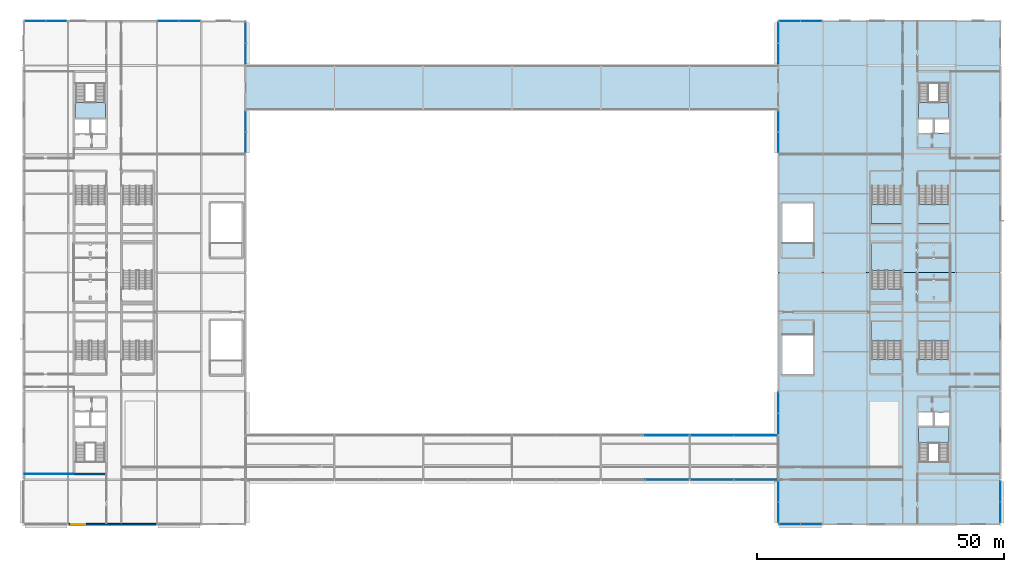
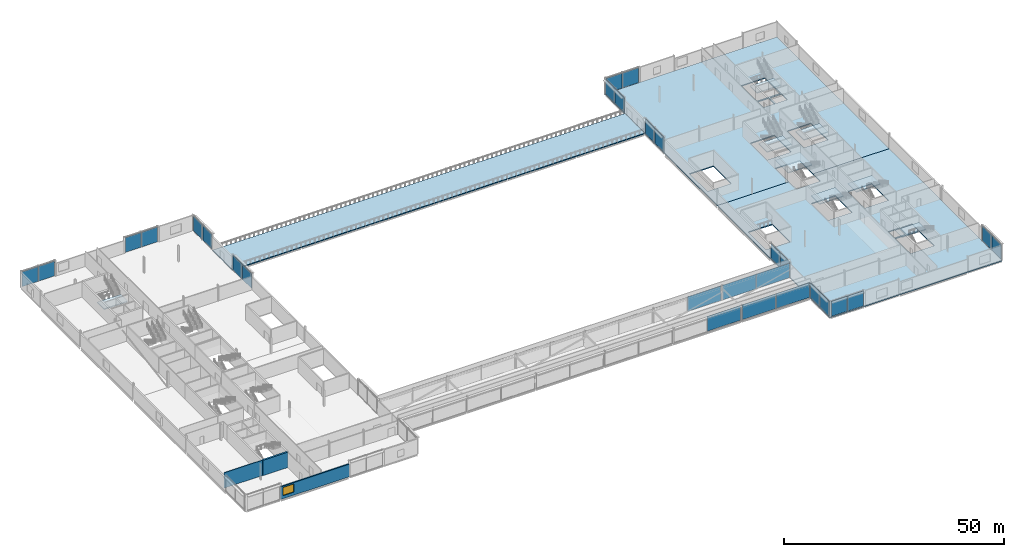
# One storey, part 35 of 73: 28 plates, 11 slabs, 3 walls, 1 window, 1 opening, 23 elements without a shape of their own.
"""IFC4 building model written with IfcOpenShell, lengths in metres."""

from ifc_helpers import new_model, si_unit, direction, frame, frame_2d, origin, origin_2d, place, context, subcontext, project, spatial, polyline, rectangle, outline, extrude, material, layer, layer_set, type_object, element, fill, aggregate, save


model = new_model("IFC4")

# Units and contexts
model_context = context("Model", 3, precision=1e-05, world=origin(), true_north=direction((0.0, 1.0)))
body_context = subcontext(model_context, "Body", "Model", "MODEL_VIEW")
ifc_project = project(units=[si_unit("LENGTHUNIT", "METRE"), si_unit("AREAUNIT", "SQUARE_METRE"), si_unit("VOLUMEUNIT", "CUBIC_METRE"), si_unit("PLANEANGLEUNIT", "RADIAN"), si_unit("MASSUNIT", "GRAM", prefix="KILO")], contexts=[model_context])

# Site, building, storey
site_placement = place(None, origin())
site = spatial("IfcSite", under=ifc_project, at=site_placement, CompositionType="ELEMENT")
building_placement = place(site_placement, origin())
building = spatial("IfcBuilding", under=site, at=building_placement, Name="Kisiwana Market Hall", CompositionType="ELEMENT")
storey_placement = place(building_placement, frame((0.0, 0.0, 33.300048828125)))
storey = spatial("IfcBuildingStorey", under=building, at=storey_placement, Name="L07", CompositionType="ELEMENT", Elevation=33.300048828125)

# Curtain wall, plates
ifc_material_1 = material(Name="Double-glazed solar-control low-E IGU", Category="glass")
ifc_layer_1 = layer(ifc_material_1, 0.159912109375)
ifc_layer_set_1 = layer_set([ifc_layer_1], Name="CW-BRG-L07-8200")
curtain_wall_type = type_object("IfcCurtainWallType", Name="CW-BRG-L07-8200", PredefinedType="USERDEFINED", material=ifc_layer_set_1)
curtain_wall_1_placement = place(storey_placement, origin())
curtain_wall_1 = element("IfcCurtainWall", 1, at=curtain_wall_1_placement, inside=storey, type_object=curtain_wall_type, Name="Unitised curtain wall CW-211 (L07)", ObjectType="UNITISED CURTAIN WALL", PredefinedType="USERDEFINED")
ifc_material_2 = material(Name="Double-glazed solar-control low-E IGU", Category="glass")
ifc_layer_2 = layer(ifc_material_2, 0.02392578125)
ifc_layer_set_2 = layer_set([ifc_layer_2], Name="PL-IGU-24")
plate_type_1 = type_object("IfcPlateType", Name="PL-IGU-24", PredefinedType="CURTAIN_PANEL", material=ifc_layer_set_2)
plate_1_placement = place(storey_placement, frame((155.342529296875, 9.0, 0.06005859375), z_axis=(0.0, 0.0, 1.0), x_axis=(1.0, 0.0, 0.0)))
plate_1 = element("IfcPlate", 2, at=plate_1_placement, type_object=plate_type_1, Name="CW-211 panel 1.1", PredefinedType="CURTAIN_PANEL", context=body_context, shape_type="SweptSolid", body=[
    extrude(rectangle(XDim=4.2451171875, YDim=0.02392578125, at=origin_2d()), origin(), (0.0, 0.0, 1.0), 4.135009765625),
])
plate_2_placement = place(storey_placement, frame((159.657470703125, 9.0, 0.06005859375), z_axis=(0.0, 0.0, 1.0), x_axis=(1.0, 0.0, 0.0)))
plate_2 = element("IfcPlate", 3, at=plate_2_placement, type_object=plate_type_1, Name="CW-211 panel 2.1", PredefinedType="CURTAIN_PANEL", context=body_context, shape_type="SweptSolid", body=[
    extrude(rectangle(XDim=4.2451171875, YDim=0.02392578125, at=origin_2d()), origin(), (0.0, 0.0, 1.0), 4.135009765625),
])
aggregate(curtain_wall_1, [plate_1, plate_2])

curtain_wall_2_placement = place(storey_placement, origin())
curtain_wall_2 = element("IfcCurtainWall", 4, at=curtain_wall_2_placement, inside=storey, type_object=curtain_wall_type, Name="Unitised curtain wall CW-217 (L07)", ObjectType="UNITISED CURTAIN WALL", PredefinedType="USERDEFINED")
plate_3_placement = place(storey_placement, frame((139.57373046875, 18.0, 0.06005859375), z_axis=(0.0, 0.0, 1.0), x_axis=(1.0, 0.0, 0.0)))
plate_3 = element("IfcPlate", 5, at=plate_3_placement, type_object=plate_type_1, Name="CW-217 panel 1.1", PredefinedType="CURTAIN_PANEL", context=body_context, shape_type="SweptSolid", body=[
    extrude(rectangle(XDim=8.757568359375, YDim=0.02392578125, at=origin_2d()), origin(), (0.0, 0.0, 1.0), 4.135009765625),
])
plate_4_placement = place(storey_placement, frame((148.4013671875, 18.0, 0.06005859375), z_axis=(0.0, 0.0, 1.0), x_axis=(1.0, 0.0, 0.0)))
plate_4 = element("IfcPlate", 6, at=plate_4_placement, type_object=plate_type_1, Name="CW-217 panel 2.1", PredefinedType="CURTAIN_PANEL", context=body_context, shape_type="SweptSolid", body=[
    extrude(rectangle(XDim=8.757568359375, YDim=0.02392578125, at=origin_2d()), origin(), (0.0, 0.0, 1.0), 4.135009765625),
])
aggregate(curtain_wall_2, [plate_3, plate_4])

curtain_wall_3_placement = place(storey_placement, origin())
curtain_wall_3 = element("IfcCurtainWall", 7, at=curtain_wall_3_placement, inside=storey, type_object=curtain_wall_type, Name="Unitised curtain wall CW-223 (L07)", ObjectType="UNITISED CURTAIN WALL", PredefinedType="USERDEFINED")
plate_5_placement = place(storey_placement, frame((139.57373046875, 27.0, 0.06005859375), z_axis=(0.0, 0.0, 1.0), x_axis=(1.0, 0.0, 0.0)))
plate_5 = element("IfcPlate", 8, at=plate_5_placement, type_object=plate_type_1, Name="CW-223 panel 1.1", PredefinedType="CURTAIN_PANEL", context=body_context, shape_type="SweptSolid", body=[
    extrude(rectangle(XDim=8.757568359375, YDim=0.02392578125, at=origin_2d()), origin(), (0.0, 0.0, 1.0), 4.135009765625),
])
plate_6_placement = place(storey_placement, frame((148.4013671875, 27.0, 0.06005859375), z_axis=(0.0, 0.0, 1.0), x_axis=(1.0, 0.0, 0.0)))
plate_6 = element("IfcPlate", 9, at=plate_6_placement, type_object=plate_type_1, Name="CW-223 panel 2.1", PredefinedType="CURTAIN_PANEL", context=body_context, shape_type="SweptSolid", body=[
    extrude(rectangle(XDim=8.757568359375, YDim=0.02392578125, at=origin_2d()), origin(), (0.0, 0.0, 1.0), 4.135009765625),
])
aggregate(curtain_wall_3, [plate_5, plate_6])

curtain_wall_4_placement = place(storey_placement, origin())
curtain_wall_4 = element("IfcCurtainWall", 10, at=curtain_wall_4_placement, inside=storey, type_object=curtain_wall_type, Name="Unitised curtain wall CW-225 (L07)", ObjectType="UNITISED CURTAIN WALL", PredefinedType="USERDEFINED")
plate_7_placement = place(storey_placement, frame((29.342529296875, 111.0, 0.06005859375), z_axis=(0.0, 0.0, 1.0), x_axis=(1.0, 0.0, 0.0)))
plate_7 = element("IfcPlate", 11, at=plate_7_placement, type_object=plate_type_1, Name="CW-225 panel 1.1", PredefinedType="CURTAIN_PANEL", context=body_context, shape_type="SweptSolid", body=[
    extrude(rectangle(XDim=4.2451171875, YDim=0.02392578125, at=origin_2d()), origin(), (0.0, 0.0, 1.0), 4.135009765625),
])
plate_8_placement = place(storey_placement, frame((33.657470703125, 111.0, 0.06005859375), z_axis=(0.0, 0.0, 1.0), x_axis=(1.0, 0.0, 0.0)))
plate_8 = element("IfcPlate", 12, at=plate_8_placement, type_object=plate_type_1, Name="CW-225 panel 2.1", PredefinedType="CURTAIN_PANEL", context=body_context, shape_type="SweptSolid", body=[
    extrude(rectangle(XDim=4.2451171875, YDim=0.02392578125, at=origin_2d()), origin(), (0.0, 0.0, 1.0), 4.135009765625),
])
aggregate(curtain_wall_4, [plate_7, plate_8])

curtain_wall_5_placement = place(storey_placement, origin())
curtain_wall_5 = element("IfcCurtainWall", 13, at=curtain_wall_5_placement, inside=storey, type_object=curtain_wall_type, Name="Unitised curtain wall CW-231 (L07)", ObjectType="UNITISED CURTAIN WALL", PredefinedType="USERDEFINED")
plate_9_placement = place(storey_placement, frame((45.0, 104.367431640625, 0.06005859375), z_axis=(0.0, 0.0, 1.0), x_axis=(0.0, 1.0, 0.0)))
plate_9 = element("IfcPlate", 14, at=plate_9_placement, type_object=plate_type_1, Name="CW-231 panel 1.1", PredefinedType="CURTAIN_PANEL", context=body_context, shape_type="SweptSolid", body=[
    extrude(rectangle(XDim=4.195068359375, YDim=0.02392578125, at=origin_2d()), origin(), (0.0, 0.0, 1.0), 4.135009765625),
])
plate_10_placement = place(storey_placement, frame((45.0, 108.632568359375, 0.06005859375), z_axis=(0.0, 0.0, 1.0), x_axis=(0.0, 1.0, 0.0)))
plate_10 = element("IfcPlate", 15, at=plate_10_placement, type_object=plate_type_1, Name="CW-231 panel 2.1", PredefinedType="CURTAIN_PANEL", context=body_context, shape_type="SweptSolid", body=[
    extrude(rectangle(XDim=4.195068359375, YDim=0.02392578125, at=origin_2d()), origin(), (0.0, 0.0, 1.0), 4.135009765625),
])
aggregate(curtain_wall_5, [plate_9, plate_10])

curtain_wall_6_placement = place(storey_placement, origin())
curtain_wall_6 = element("IfcCurtainWall", 16, at=curtain_wall_6_placement, inside=storey, type_object=curtain_wall_type, Name="Unitised curtain wall CW-233 (L07)", ObjectType="UNITISED CURTAIN WALL", PredefinedType="USERDEFINED")
plate_11_placement = place(storey_placement, frame((153.0, 29.367431640625, 0.06005859375), z_axis=(0.0, 0.0, 1.0), x_axis=(0.0, 1.0, 0.0)))
plate_11 = element("IfcPlate", 17, at=plate_11_placement, type_object=plate_type_1, Name="CW-233 panel 1.1", PredefinedType="CURTAIN_PANEL", context=body_context, shape_type="SweptSolid", body=[
    extrude(rectangle(XDim=4.195068359375, YDim=0.02392578125, at=origin_2d()), origin(), (0.0, 0.0, 1.0), 4.135009765625),
])
plate_12_placement = place(storey_placement, frame((153.0, 33.632568359375, 0.06005859375), z_axis=(0.0, 0.0, 1.0), x_axis=(0.0, 1.0, 0.0)))
plate_12 = element("IfcPlate", 18, at=plate_12_placement, type_object=plate_type_1, Name="CW-233 panel 2.1", PredefinedType="CURTAIN_PANEL", context=body_context, shape_type="SweptSolid", body=[
    extrude(rectangle(XDim=4.195068359375, YDim=0.02392578125, at=origin_2d()), origin(), (0.0, 0.0, 1.0), 4.135009765625),
])
aggregate(curtain_wall_6, [plate_11, plate_12])

curtain_wall_7_placement = place(storey_placement, origin())
curtain_wall_7 = element("IfcCurtainWall", 19, at=curtain_wall_7_placement, inside=storey, type_object=curtain_wall_type, Name="Unitised curtain wall CW-237 (L07)", ObjectType="UNITISED CURTAIN WALL", PredefinedType="USERDEFINED")
plate_13_placement = place(storey_placement, frame((198.0, 11.367431640625, 0.06005859375), z_axis=(0.0, 0.0, 1.0), x_axis=(0.0, 1.0, 0.0)))
plate_13 = element("IfcPlate", 20, at=plate_13_placement, type_object=plate_type_1, Name="CW-237 panel 1.1", PredefinedType="CURTAIN_PANEL", context=body_context, shape_type="SweptSolid", body=[
    extrude(rectangle(XDim=4.195068359375, YDim=0.02392578125, at=origin_2d()), origin(), (0.0, 0.0, 1.0), 4.135009765625),
])
plate_14_placement = place(storey_placement, frame((198.0, 15.632568359375, 0.06005859375), z_axis=(0.0, 0.0, 1.0), x_axis=(0.0, 1.0, 0.0)))
plate_14 = element("IfcPlate", 21, at=plate_14_placement, type_object=plate_type_1, Name="CW-237 panel 2.1", PredefinedType="CURTAIN_PANEL", context=body_context, shape_type="SweptSolid", body=[
    extrude(rectangle(XDim=4.195068359375, YDim=0.02392578125, at=origin_2d()), origin(), (0.0, 0.0, 1.0), 4.135009765625),
])
aggregate(curtain_wall_7, [plate_13, plate_14])

# Curtain wall, plate
curtain_wall_8_placement = place(storey_placement, origin())
curtain_wall_8 = element("IfcCurtainWall", 22, at=curtain_wall_8_placement, inside=storey, type_object=curtain_wall_type, Name="Unitised curtain wall CW-216 (L07)", ObjectType="UNITISED CURTAIN WALL", PredefinedType="USERDEFINED")
ifc_material_3 = material(Name="Double-glazed acoustic laminated IGU", Category="glass")
ifc_layer_3 = layer(ifc_material_3, 0.028076171875)
ifc_layer_set_3 = layer_set([ifc_layer_3], Name="PL-IGU-28")
plate_type_2 = type_object("IfcPlateType", Name="PL-IGU-28", PredefinedType="CURTAIN_PANEL", material=ifc_layer_set_3)
plate_15_placement = place(storey_placement, frame((130.419921875, 18.0, 0.06005859375), z_axis=(0.0, 0.0, 1.0), x_axis=(1.0, 0.0, 0.0)))
plate_15 = element("IfcPlate", 23, at=plate_15_placement, type_object=plate_type_2, Name="CW-216 panel 2.1", PredefinedType="CURTAIN_PANEL", context=body_context, shape_type="SweptSolid", body=[
    extrude(rectangle(XDim=8.77001953125, YDim=0.028076171875, at=origin_2d()), origin(), (0.0, 0.0, 1.0), 4.135009765625),
])
aggregate(curtain_wall_8, [plate_15])

curtain_wall_9_placement = place(storey_placement, origin())
curtain_wall_9 = element("IfcCurtainWall", 24, at=curtain_wall_9_placement, inside=storey, type_object=curtain_wall_type, Name="Unitised curtain wall CW-222 (L07)", ObjectType="UNITISED CURTAIN WALL", PredefinedType="USERDEFINED")
plate_16_placement = place(storey_placement, frame((130.419921875, 27.0, 0.06005859375), z_axis=(0.0, 0.0, 1.0), x_axis=(1.0, 0.0, 0.0)))
plate_16 = element("IfcPlate", 25, at=plate_16_placement, type_object=plate_type_2, Name="CW-222 panel 2.1", PredefinedType="CURTAIN_PANEL", context=body_context, shape_type="SweptSolid", body=[
    extrude(rectangle(XDim=8.77001953125, YDim=0.028076171875, at=origin_2d()), origin(), (0.0, 0.0, 1.0), 4.135009765625),
])
aggregate(curtain_wall_9, [plate_16])

# Curtain wall, plates
curtain_wall_10_placement = place(storey_placement, origin())
curtain_wall_10 = element("IfcCurtainWall", 26, at=curtain_wall_10_placement, inside=storey, type_object=curtain_wall_type, Name="Unitised curtain wall CW-224 (L07)", ObjectType="UNITISED CURTAIN WALL", PredefinedType="USERDEFINED")
plate_17_placement = place(storey_placement, frame((2.342529296875, 111.0, 0.06005859375), z_axis=(0.0, 0.0, 1.0), x_axis=(1.0, 0.0, 0.0)))
plate_17 = element("IfcPlate", 27, at=plate_17_placement, type_object=plate_type_2, Name="CW-224 panel 1.1", PredefinedType="CURTAIN_PANEL", context=body_context, shape_type="SweptSolid", body=[
    extrude(rectangle(XDim=4.2451171875, YDim=0.028076171875, at=origin_2d()), origin(), (0.0, 0.0, 1.0), 4.135009765625),
])
plate_18_placement = place(storey_placement, frame((6.657470703125, 111.0, 0.06005859375), z_axis=(0.0, 0.0, 1.0), x_axis=(1.0, 0.0, 0.0)))
plate_18 = element("IfcPlate", 28, at=plate_18_placement, type_object=plate_type_2, Name="CW-224 panel 2.1", PredefinedType="CURTAIN_PANEL", context=body_context, shape_type="SweptSolid", body=[
    extrude(rectangle(XDim=4.2451171875, YDim=0.028076171875, at=origin_2d()), origin(), (0.0, 0.0, 1.0), 4.135009765625),
])
aggregate(curtain_wall_10, [plate_17, plate_18])

curtain_wall_11_placement = place(storey_placement, origin())
curtain_wall_11 = element("IfcCurtainWall", 29, at=curtain_wall_11_placement, inside=storey, type_object=curtain_wall_type, Name="Unitised curtain wall CW-226 (L07)", ObjectType="UNITISED CURTAIN WALL", PredefinedType="USERDEFINED")
plate_19_placement = place(storey_placement, frame((155.342529296875, 111.0, 0.06005859375), z_axis=(0.0, 0.0, 1.0), x_axis=(1.0, 0.0, 0.0)))
plate_19 = element("IfcPlate", 30, at=plate_19_placement, type_object=plate_type_2, Name="CW-226 panel 1.1", PredefinedType="CURTAIN_PANEL", context=body_context, shape_type="SweptSolid", body=[
    extrude(rectangle(XDim=4.2451171875, YDim=0.028076171875, at=origin_2d()), origin(), (0.0, 0.0, 1.0), 4.135009765625),
])
plate_20_placement = place(storey_placement, frame((159.657470703125, 111.0, 0.06005859375), z_axis=(0.0, 0.0, 1.0), x_axis=(1.0, 0.0, 0.0)))
plate_20 = element("IfcPlate", 31, at=plate_20_placement, type_object=plate_type_2, Name="CW-226 panel 2.1", PredefinedType="CURTAIN_PANEL", context=body_context, shape_type="SweptSolid", body=[
    extrude(rectangle(XDim=4.2451171875, YDim=0.028076171875, at=origin_2d()), origin(), (0.0, 0.0, 1.0), 4.135009765625),
])
aggregate(curtain_wall_11, [plate_19, plate_20])

curtain_wall_12_placement = place(storey_placement, origin())
curtain_wall_12 = element("IfcCurtainWall", 32, at=curtain_wall_12_placement, inside=storey, type_object=curtain_wall_type, Name="Unitised curtain wall CW-230 (L07)", ObjectType="UNITISED CURTAIN WALL", PredefinedType="USERDEFINED")
plate_21_placement = place(storey_placement, frame((45.0, 86.367431640625, 0.06005859375), z_axis=(0.0, 0.0, 1.0), x_axis=(0.0, 1.0, 0.0)))
plate_21 = element("IfcPlate", 33, at=plate_21_placement, type_object=plate_type_2, Name="CW-230 panel 1.1", PredefinedType="CURTAIN_PANEL", context=body_context, shape_type="SweptSolid", body=[
    extrude(rectangle(XDim=4.195068359375, YDim=0.028076171875, at=origin_2d()), origin(), (0.0, 0.0, 1.0), 4.135009765625),
])
plate_22_placement = place(storey_placement, frame((45.0, 90.632568359375, 0.06005859375), z_axis=(0.0, 0.0, 1.0), x_axis=(0.0, 1.0, 0.0)))
plate_22 = element("IfcPlate", 34, at=plate_22_placement, type_object=plate_type_2, Name="CW-230 panel 2.1", PredefinedType="CURTAIN_PANEL", context=body_context, shape_type="SweptSolid", body=[
    extrude(rectangle(XDim=4.195068359375, YDim=0.028076171875, at=origin_2d()), origin(), (0.0, 0.0, 1.0), 4.135009765625),
])
aggregate(curtain_wall_12, [plate_21, plate_22])

curtain_wall_13_placement = place(storey_placement, origin())
curtain_wall_13 = element("IfcCurtainWall", 35, at=curtain_wall_13_placement, inside=storey, type_object=curtain_wall_type, Name="Unitised curtain wall CW-232 (L07)", ObjectType="UNITISED CURTAIN WALL", PredefinedType="USERDEFINED")
plate_23_placement = place(storey_placement, frame((153.0, 11.367431640625, 0.06005859375), z_axis=(0.0, 0.0, 1.0), x_axis=(0.0, 1.0, 0.0)))
plate_23 = element("IfcPlate", 36, at=plate_23_placement, type_object=plate_type_2, Name="CW-232 panel 1.1", PredefinedType="CURTAIN_PANEL", context=body_context, shape_type="SweptSolid", body=[
    extrude(rectangle(XDim=4.195068359375, YDim=0.028076171875, at=origin_2d()), origin(), (0.0, 0.0, 1.0), 4.135009765625),
])
plate_24_placement = place(storey_placement, frame((153.0, 15.632568359375, 0.06005859375), z_axis=(0.0, 0.0, 1.0), x_axis=(0.0, 1.0, 0.0)))
plate_24 = element("IfcPlate", 37, at=plate_24_placement, type_object=plate_type_2, Name="CW-232 panel 2.1", PredefinedType="CURTAIN_PANEL", context=body_context, shape_type="SweptSolid", body=[
    extrude(rectangle(XDim=4.195068359375, YDim=0.028076171875, at=origin_2d()), origin(), (0.0, 0.0, 1.0), 4.135009765625),
])
aggregate(curtain_wall_13, [plate_23, plate_24])

curtain_wall_14_placement = place(storey_placement, origin())
curtain_wall_14 = element("IfcCurtainWall", 38, at=curtain_wall_14_placement, inside=storey, type_object=curtain_wall_type, Name="Unitised curtain wall CW-234 (L07)", ObjectType="UNITISED CURTAIN WALL", PredefinedType="USERDEFINED")
plate_25_placement = place(storey_placement, frame((153.0, 86.367431640625, 0.06005859375), z_axis=(0.0, 0.0, 1.0), x_axis=(0.0, 1.0, 0.0)))
plate_25 = element("IfcPlate", 39, at=plate_25_placement, type_object=plate_type_2, Name="CW-234 panel 1.1", PredefinedType="CURTAIN_PANEL", context=body_context, shape_type="SweptSolid", body=[
    extrude(rectangle(XDim=4.195068359375, YDim=0.028076171875, at=origin_2d()), origin(), (0.0, 0.0, 1.0), 4.135009765625),
])
plate_26_placement = place(storey_placement, frame((153.0, 90.632568359375, 0.06005859375), z_axis=(0.0, 0.0, 1.0), x_axis=(0.0, 1.0, 0.0)))
plate_26 = element("IfcPlate", 40, at=plate_26_placement, type_object=plate_type_2, Name="CW-234 panel 2.1", PredefinedType="CURTAIN_PANEL", context=body_context, shape_type="SweptSolid", body=[
    extrude(rectangle(XDim=4.195068359375, YDim=0.028076171875, at=origin_2d()), origin(), (0.0, 0.0, 1.0), 4.135009765625),
])
aggregate(curtain_wall_14, [plate_25, plate_26])

curtain_wall_15_placement = place(storey_placement, origin())
curtain_wall_15 = element("IfcCurtainWall", 41, at=curtain_wall_15_placement, inside=storey, type_object=curtain_wall_type, Name="Unitised curtain wall CW-236 (L07)", ObjectType="UNITISED CURTAIN WALL", PredefinedType="USERDEFINED")
plate_27_placement = place(storey_placement, frame((153.0, 104.367431640625, 0.06005859375), z_axis=(0.0, 0.0, 1.0), x_axis=(0.0, 1.0, 0.0)))
plate_27 = element("IfcPlate", 42, at=plate_27_placement, type_object=plate_type_2, Name="CW-236 panel 1.1", PredefinedType="CURTAIN_PANEL", context=body_context, shape_type="SweptSolid", body=[
    extrude(rectangle(XDim=4.195068359375, YDim=0.028076171875, at=origin_2d()), origin(), (0.0, 0.0, 1.0), 4.135009765625),
])
plate_28_placement = place(storey_placement, frame((153.0, 108.632568359375, 0.06005859375), z_axis=(0.0, 0.0, 1.0), x_axis=(0.0, 1.0, 0.0)))
plate_28 = element("IfcPlate", 43, at=plate_28_placement, type_object=plate_type_2, Name="CW-236 panel 2.1", PredefinedType="CURTAIN_PANEL", context=body_context, shape_type="SweptSolid", body=[
    extrude(rectangle(XDim=4.195068359375, YDim=0.028076171875, at=origin_2d()), origin(), (0.0, 0.0, 1.0), 4.135009765625),
])
aggregate(curtain_wall_15, [plate_27, plate_28])

# Stair, slab
ifc_material_4 = material(Name="Concrete C32/40", Category="concrete")
stair_type_1 = type_object("IfcStairType", Name="ST-TWR-4500", PredefinedType="TWO_STRAIGHT_RUN_STAIR", material=ifc_material_4)
stair_1_placement = place(storey_placement, origin())
stair_1 = element("IfcStair", 44, at=stair_1_placement, inside=storey, type_object=stair_type_1, Name="Escape stair ST-W1-L07", PredefinedType="TWO_STRAIGHT_RUN_STAIR")
ifc_material_5 = material(Name="Concrete C32/40", Category="concrete")
ifc_layer_4 = layer(ifc_material_5, 0.239990234375)
ifc_layer_set_4 = layer_set([ifc_layer_4], Name="SL-LANDING-160")
slab_type_1 = type_object("IfcSlabType", Name="SL-LANDING-160", PredefinedType="LANDING", material=ifc_layer_set_4)
slab_1_placement = place(storey_placement, frame((0.0, 0.0, 2.010009765625)))
slab_1 = element("IfcSlab", 45, at=slab_1_placement, type_object=slab_type_1, Name="ST-W1-L07 landing 1 S-316", PredefinedType="LANDING", context=body_context, shape_type="SweptSolid", body=[
    extrude(outline(polyline([(10.405029296875, 91.35498046875), (16.594970703125, 91.35498046875), (16.594970703125, 94.490966796875), (10.405029296875, 94.490966796875), (10.405029296875, 91.35498046875)])), origin(), (0.0, 0.0, 1.0), 0.239990234375),
])
aggregate(stair_1, [slab_1])

stair_2_placement = place(storey_placement, origin())
stair_2 = element("IfcStair", 46, at=stair_2_placement, inside=storey, type_object=stair_type_1, Name="Escape stair ST-E2-L07", PredefinedType="TWO_STRAIGHT_RUN_STAIR")
slab_2_placement = place(storey_placement, frame((0.0, 0.0, 2.010009765625)))
slab_2 = element("IfcSlab", 47, at=slab_2_placement, type_object=slab_type_1, Name="ST-E2-L07 landing 1 S-310", PredefinedType="LANDING", context=body_context, shape_type="SweptSolid", body=[
    extrude(outline(polyline([(181.3798828125, 25.48388671875), (187.6201171875, 25.48388671875), (187.6201171875, 28.6201171875), (181.3798828125, 28.6201171875), (181.3798828125, 25.48388671875)])), origin(), (0.0, 0.0, 1.0), 0.239990234375),
])
aggregate(stair_2, [slab_2])

stair_3_placement = place(storey_placement, origin())
stair_3 = element("IfcStair", 48, at=stair_3_placement, inside=storey, type_object=stair_type_1, Name="Escape stair ST-E1-L07", PredefinedType="TWO_STRAIGHT_RUN_STAIR")
slab_3_placement = place(storey_placement, frame((0.0, 0.0, 2.010009765625)))
slab_3 = element("IfcSlab", 49, at=slab_3_placement, type_object=slab_type_1, Name="ST-E1-L07 landing 1 S-309", PredefinedType="LANDING", context=body_context, shape_type="SweptSolid", body=[
    extrude(outline(polyline([(181.3798828125, 91.3798828125), (187.6201171875, 91.3798828125), (187.6201171875, 94.51611328125), (181.3798828125, 94.51611328125), (181.3798828125, 91.3798828125)])), origin(), (0.0, 0.0, 1.0), 0.239990234375),
])
aggregate(stair_3, [slab_3])

ifc_material_6 = material(Name="Concrete C32/40", Category="concrete")
stair_type_2 = type_object("IfcStairType", Name="ST-ESC-4500", PredefinedType="TWO_STRAIGHT_RUN_STAIR", material=ifc_material_6)
stair_4_placement = place(storey_placement, origin())
stair_4 = element("IfcStair", 50, at=stair_4_placement, inside=storey, type_object=stair_type_2, Name="Escape stair ST-E3-L07", PredefinedType="TWO_STRAIGHT_RUN_STAIR")
slab_4_placement = place(storey_placement, frame((0.0, 0.0, 2.010009765625)))
slab_4 = element("IfcSlab", 51, at=slab_4_placement, type_object=slab_type_1, Name="ST-E3-L07 landing 1 S-311", PredefinedType="LANDING", context=body_context, shape_type="SweptSolid", body=[
    extrude(outline(polyline([(181.340087890625, 46.194580078125), (187.659912109375, 46.194580078125), (187.659912109375, 50.06005859375), (181.340087890625, 50.06005859375), (181.340087890625, 46.194580078125)])), origin(), (0.0, 0.0, 1.0), 0.239990234375),
])
aggregate(stair_4, [slab_4])

stair_5_placement = place(storey_placement, origin())
stair_5 = element("IfcStair", 52, at=stair_5_placement, inside=storey, type_object=stair_type_2, Name="Escape stair ST-E4-L07", PredefinedType="TWO_STRAIGHT_RUN_STAIR")
slab_5_placement = place(storey_placement, frame((0.0, 0.0, 2.010009765625)))
slab_5 = element("IfcSlab", 53, at=slab_5_placement, type_object=slab_type_1, Name="ST-E4-L07 landing 1 S-312", PredefinedType="LANDING", context=body_context, shape_type="SweptSolid", body=[
    extrude(outline(polyline([(181.340087890625, 69.93994140625), (187.659912109375, 69.93994140625), (187.659912109375, 73.805419921875), (181.340087890625, 73.805419921875), (181.340087890625, 69.93994140625)])), origin(), (0.0, 0.0, 1.0), 0.239990234375),
])
aggregate(stair_5, [slab_5])

stair_6_placement = place(storey_placement, origin())
stair_6 = element("IfcStair", 54, at=stair_6_placement, inside=storey, type_object=stair_type_2, Name="Escape stair ST-E7-L07", PredefinedType="TWO_STRAIGHT_RUN_STAIR")
slab_6_placement = place(storey_placement, frame((0.0, 0.0, 2.010009765625)))
slab_6 = element("IfcSlab", 55, at=slab_6_placement, type_object=slab_type_1, Name="ST-E7-L07 landing 1 S-314", PredefinedType="LANDING", context=body_context, shape_type="SweptSolid", body=[
    extrude(outline(polyline([(171.739990234375, 46.194580078125), (178.06005859375, 46.194580078125), (178.06005859375, 50.06005859375), (171.739990234375, 50.06005859375), (171.739990234375, 46.194580078125)])), origin(), (0.0, 0.0, 1.0), 0.239990234375),
])
aggregate(stair_6, [slab_6])

stair_7_placement = place(storey_placement, origin())
stair_7 = element("IfcStair", 56, at=stair_7_placement, inside=storey, type_object=stair_type_2, Name="Escape stair ST-E8-L07", PredefinedType="TWO_STRAIGHT_RUN_STAIR")
slab_7_placement = place(storey_placement, frame((0.0, 0.0, 2.010009765625)))
slab_7 = element("IfcSlab", 57, at=slab_7_placement, type_object=slab_type_1, Name="ST-E8-L07 landing 1 S-315", PredefinedType="LANDING", context=body_context, shape_type="SweptSolid", body=[
    extrude(outline(polyline([(171.739990234375, 69.93994140625), (178.06005859375, 69.93994140625), (178.06005859375, 73.805419921875), (171.739990234375, 73.805419921875), (171.739990234375, 69.93994140625)])), origin(), (0.0, 0.0, 1.0), 0.239990234375),
])
aggregate(stair_7, [slab_7])

stair_8_placement = place(storey_placement, origin())
stair_8 = element("IfcStair", 58, at=stair_8_placement, inside=storey, type_object=stair_type_2, Name="Escape stair ST-E5-L07", PredefinedType="TWO_STRAIGHT_RUN_STAIR")
slab_8_placement = place(storey_placement, frame((0.0, 0.0, 2.010009765625)))
slab_8 = element("IfcSlab", 59, at=slab_8_placement, type_object=slab_type_1, Name="ST-E5-L07 landing 1 S-313", PredefinedType="LANDING", context=body_context, shape_type="SweptSolid", body=[
    extrude(outline(polyline([(171.739990234375, 60.474609375), (178.06005859375, 60.474609375), (178.06005859375, 66.179931640625), (171.739990234375, 66.179931640625), (171.739990234375, 60.474609375)])), origin(), (0.0, 0.0, 1.0), 0.239990234375),
])
aggregate(stair_8, [slab_8])

# Slabs
ifc_material_7 = material(Name="Concrete C32/40", Category="concrete")
ifc_layer_5 = layer(ifc_material_7, 0.280029296875)
ifc_layer_set_5 = layer_set([ifc_layer_5], Name="SL-PLANT-280")
slab_type_2 = type_object("IfcSlabType", Name="SL-PLANT-280", PredefinedType="FLOOR", material=ifc_layer_set_5)
slab_9_placement = place(storey_placement, frame((0.0, 0.0, -0.280029296875)))
element("IfcSlab", 60, at=slab_9_placement, inside=storey, type_object=slab_type_2, Name="Structural slab S-305", PredefinedType="FLOOR", context=body_context, shape_type="SweptSolid", body=[
    extrude(outline(polyline([(153.0, 9.0), (198.0, 9.0), (198.0, 60.0), (178.0400390625, 60.0), (178.0400390625, 56.659912109375), (171.760009765625, 56.659912109375), (171.760009765625, 60.0), (153.0, 60.0), (153.0, 9.0)]), holes=[polyline([(181.39990234375, 21.64990234375), (187.60009765625, 21.64990234375), (187.60009765625, 28.60009765625), (181.39990234375, 28.60009765625), (181.39990234375, 21.64990234375)]), polyline([(181.39990234375, 28.919921875), (184.340087890625, 28.919921875), (184.340087890625, 31.64990234375), (181.39990234375, 31.64990234375), (181.39990234375, 28.919921875)]), polyline([(184.659912109375, 28.919921875), (187.60009765625, 28.919921875), (187.60009765625, 31.64990234375), (184.659912109375, 31.64990234375), (184.659912109375, 28.919921875)]), polyline([(181.360107421875, 42.3798828125), (187.639892578125, 42.3798828125), (187.639892578125, 50.0400390625), (181.360107421875, 50.0400390625), (181.360107421875, 42.3798828125)]), polyline([(171.760009765625, 42.3798828125), (178.0400390625, 42.3798828125), (178.0400390625, 50.0400390625), (171.760009765625, 50.0400390625), (171.760009765625, 42.3798828125)]), polyline([(153.7900390625, 39.360107421875), (160.070068359375, 39.360107421875), (160.070068359375, 47.419921875), (153.7900390625, 47.419921875), (153.7900390625, 39.360107421875)])]), origin(), (0.0, 0.0, 1.0), 0.280029296875),
])
slab_10_placement = place(storey_placement, frame((0.0, 0.0, -0.280029296875)))
element("IfcSlab", 61, at=slab_10_placement, inside=storey, type_object=slab_type_2, Name="Structural slab S-306", PredefinedType="FLOOR", context=body_context, shape_type="SweptSolid", body=[
    extrude(outline(polyline([(153.0, 60.0), (171.760009765625, 60.0), (171.760009765625, 66.159912109375), (178.0400390625, 66.159912109375), (178.0400390625, 60.0), (198.0, 60.0), (198.0, 111.0), (153.0, 111.0), (153.0, 60.0)]), holes=[polyline([(181.39990234375, 91.39990234375), (187.60009765625, 91.39990234375), (187.60009765625, 98.35009765625), (181.39990234375, 98.35009765625), (181.39990234375, 91.39990234375)]), polyline([(181.39990234375, 88.35009765625), (184.340087890625, 88.35009765625), (184.340087890625, 91.080078125), (181.39990234375, 91.080078125), (181.39990234375, 88.35009765625)]), polyline([(184.659912109375, 88.35009765625), (187.60009765625, 88.35009765625), (187.60009765625, 91.080078125), (184.659912109375, 91.080078125), (184.659912109375, 88.35009765625)]), polyline([(181.360107421875, 69.9599609375), (187.639892578125, 69.9599609375), (187.639892578125, 77.6201171875), (181.360107421875, 77.6201171875), (181.360107421875, 69.9599609375)]), polyline([(171.760009765625, 69.9599609375), (178.0400390625, 69.9599609375), (178.0400390625, 77.6201171875), (171.760009765625, 77.6201171875), (171.760009765625, 69.9599609375)]), polyline([(153.7900390625, 65.97998046875), (160.070068359375, 65.97998046875), (160.070068359375, 74.0400390625), (153.7900390625, 74.0400390625), (153.7900390625, 65.97998046875)])]), origin(), (0.0, 0.0, 1.0), 0.280029296875),
])
ifc_material_8 = material(Name="Concrete C32/40", Category="concrete")
ifc_layer_6 = layer(ifc_material_8, 0.258056640625)
ifc_layer_set_6 = layer_set([ifc_layer_6], Name="SL-TERR-240")
slab_type_3 = type_object("IfcSlabType", Name="SL-TERR-240", PredefinedType="FLOOR", material=ifc_layer_set_6)
slab_11_placement = place(storey_placement, frame((0.0, 0.0, -0.258056640625)))
element("IfcSlab", 62, at=slab_11_placement, inside=storey, type_object=slab_type_3, Name="Exterior terrace slab S-323", PredefinedType="FLOOR", context=body_context, shape_type="SweptSolid", body=[
    extrude(outline(polyline([(45.0, 93.0), (153.0, 93.0), (153.0, 102.0), (45.0, 102.0), (45.0, 93.0)])), origin(), (0.0, 0.0, 1.0), 0.258056640625),
])

# Walls
ifc_material_9 = material(Name="Concrete C40/50", Category="concrete")
ifc_layer_7 = layer(ifc_material_9, 0.449951171875, Name="Reinforced concrete core wall")
ifc_layer_set_7 = layer_set([ifc_layer_7], Name="WL-CORE-450")
wall_type_1 = type_object("IfcWallType", Name="WL-CORE-450", PredefinedType="SHEAR", material=ifc_layer_set_7)
wall_1_placement = place(storey_placement, frame((10.199951171875, 19.199951171875, 0.0), z_axis=(0.0, 0.0, 1.0), x_axis=(1.0, 0.0, 0.0)))
element("IfcWall", 63, at=wall_1_placement, inside=storey, type_object=wall_type_1, Name="Core W2 south shear wall W-2078", PredefinedType="SHEAR", context=body_context, shape_type="SweptSolid", body=[
    extrude(rectangle(XDim=6.60009765625, YDim=0.449951171875, at=frame_2d((3.300048828125, 0.0))), origin(), (0.0, 0.0, 1.0), 4.2548828125),
])
ifc_material_10 = material(Name="Masonry blockwork", Category="masonry")
ifc_layer_8 = layer(ifc_material_10, 0.169921875, Name="Protected corridor partition")
ifc_layer_set_8 = layer_set([ifc_layer_8], Name="WL-CORR-170")
wall_type_2 = type_object("IfcWallType", Name="WL-CORR-170", PredefinedType="PARTITIONING", material=ifc_layer_set_8)
wall_2_placement = place(storey_placement, frame((0.169921875, 19.199951171875, 0.0), z_axis=(0.0, 0.0, 1.0), x_axis=(1.0, 0.0, 0.0)))
element("IfcWall", 64, at=wall_2_placement, inside=storey, type_object=wall_type_2, Name="Interior partition W-2214", PredefinedType="PARTITIONING", context=body_context, shape_type="SweptSolid", body=[
    extrude(rectangle(XDim=10.030029296875, YDim=0.169921875, at=frame_2d((5.01513671875, 0.0))), origin(), (0.0, 0.0, 1.0), 4.2548828125),
])

# Wall, opening, window
ifc_material_11 = material(Name="Concrete C40/50 precast", Category="concrete")
ifc_layer_9 = layer(ifc_material_11, 0.14990234375, Name="Precast architectural concrete spandrel")
ifc_material_12 = material(Name="Mineral wool insulation")
ifc_layer_10 = layer(ifc_material_12, 0.090087890625, Name="Rockwool thermal insulation")
ifc_material_13 = material(Name="Masonry blockwork", Category="masonry")
ifc_layer_11 = layer(ifc_material_13, 0.10009765625, Name="Inner masonry block leaf")
ifc_layer_set_9 = layer_set([ifc_layer_9, ifc_layer_10, ifc_layer_11], Name="WL-EXT-PREC-340")
wall_type_3 = type_object("IfcWallType", Name="WL-EXT-PREC-340", PredefinedType="STANDARD", material=ifc_layer_set_9)
wall_3_placement = place(storey_placement, frame((9.010009765625, 9.0, 0.0), z_axis=(0.0, 0.0, 1.0), x_axis=(1.0, 0.0, 0.0)))
wall_3 = element("IfcWall", 65, at=wall_3_placement, inside=storey, type_object=wall_type_3, Name="Exterior wall W-2178", PredefinedType="STANDARD", context=body_context, shape_type="SweptSolid", body=[
    extrude(rectangle(XDim=17.97998046875, YDim=0.340087890625, at=frame_2d((8.989990234375, 0.0))), origin(), (0.0, 0.0, 1.0), 3.49267578125),
])
opening_placement = place(wall_3_placement, frame((0.64990234375, 0.0, 0.85009765625)))
opening = element("IfcOpeningElement", 66, at=opening_placement, cuts=wall_3, Name="Opening WN-03", PredefinedType="OPENING", context=body_context, shape_type="SweptSolid", body=[
    extrude(rectangle(XDim=2.800048828125, YDim=2.25, at=frame_2d((1.39990234375, 1.125))), frame((0.0, 0.18212890625, 0.0), z_axis=(0.0, -1.0, 0.0), x_axis=(1.0, 0.0, 0.0)), (0.0, 0.0, 1.0), 0.364013671875),
])
ifc_material_14 = material(Name="Double-glazed solar-control low-E IGU", Category="glass")
window_type = type_object("IfcWindowType", Name="WN-SKYB-2800x2250", PartitioningType="SINGLE_PANEL", PredefinedType="WINDOW", material=ifc_material_14)
window_placement = place(opening_placement, origin())
window = element("IfcWindow", 67, at=window_placement, inside=storey, type_object=window_type, Name="Exterior window WN-211", OverallHeight=2.25, OverallWidth=2.800048828125, PartitioningType="SINGLE_PANEL", PredefinedType="WINDOW", context=body_context, shape_type="SweptSolid", body=[
    extrude(rectangle(XDim=2.800048828125, YDim=2.25, at=frame_2d((1.39990234375, 1.125))), frame((0.0, 0.030029296875, 0.0), z_axis=(0.0, -1.0, 0.0), x_axis=(1.0, 0.0, 0.0)), (0.0, 0.0, 1.0), 0.06005859375),
])
fill(opening, window)

save(model, "model.ifc")
